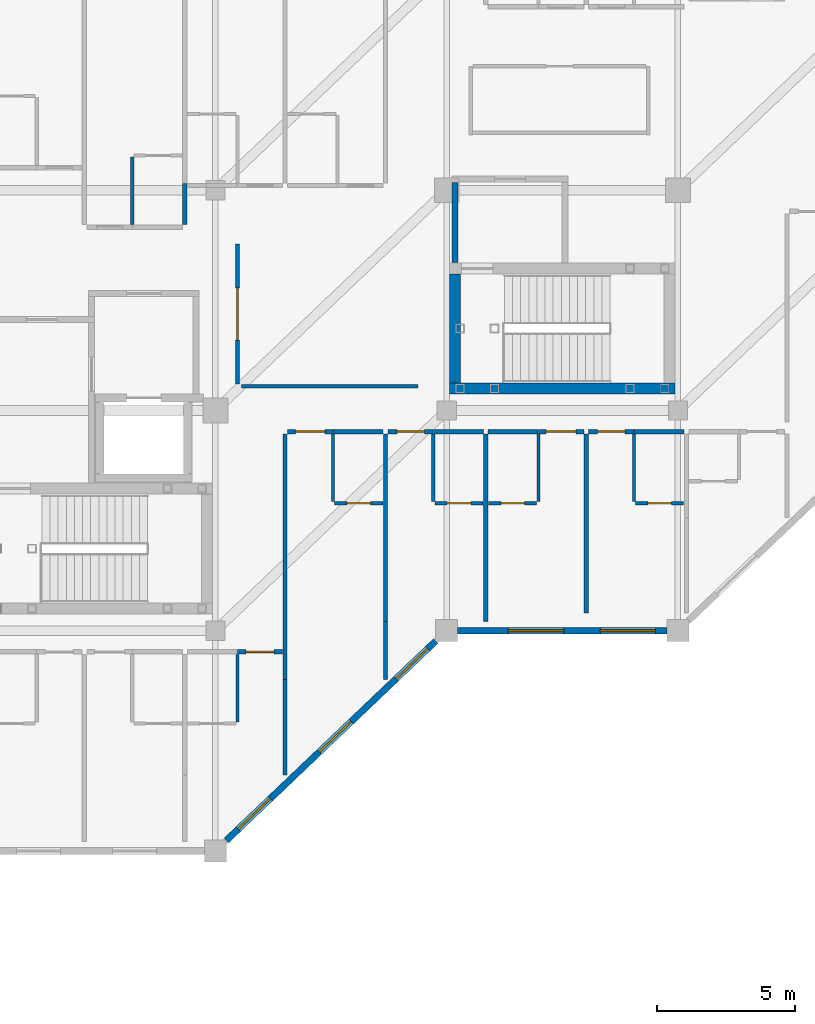
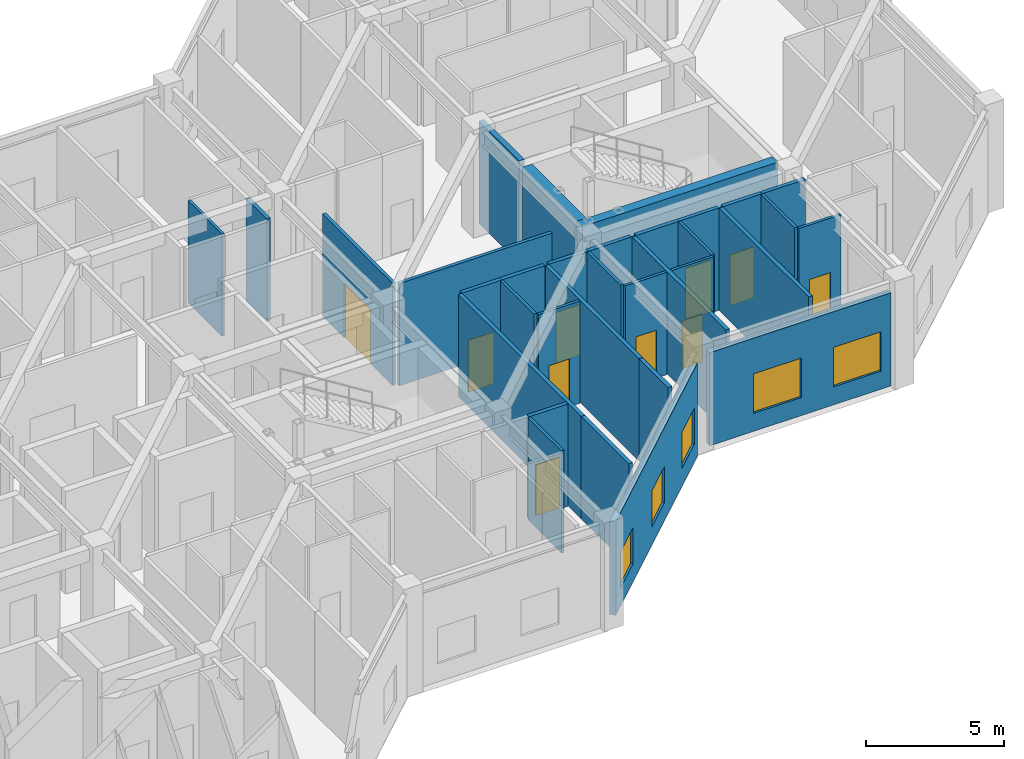
# One storey, part 62 of 76: 33 walls, 10 doors, 5 windows, 15 openings.
"""IFC4 building model written with IfcOpenShell, lengths in metres."""

from ifc_helpers import new_model, si_unit, direction, frame, frame_2d, origin, place, context, subcontext, project, spatial, rectangle, extrude, material, layer, layer_set, type_object, element, fill, save


model = new_model("IFC4")

# Units and contexts
model_context = context("Model", 3, precision=1e-05, world=origin(), true_north=direction((0.0, 1.0)))
body_context = subcontext(model_context, "Body", "Model", "MODEL_VIEW")
ifc_project = project(units=[si_unit("LENGTHUNIT", "METRE"), si_unit("AREAUNIT", "SQUARE_METRE"), si_unit("VOLUMEUNIT", "CUBIC_METRE"), si_unit("PLANEANGLEUNIT", "RADIAN"), si_unit("MASSUNIT", "GRAM", prefix="KILO")], contexts=[model_context])

# Site, building, storey
site_placement = place(None, origin())
site = spatial("IfcSite", under=ifc_project, at=site_placement, CompositionType="ELEMENT")
building_placement = place(site_placement, origin())
building = spatial("IfcBuilding", under=site, at=building_placement, Name="Naruveol Harbour Congress Hotel", CompositionType="ELEMENT")
storey_placement = place(building_placement, frame((0.0, 0.0, 11.39990234375)))
storey = spatial("IfcBuildingStorey", under=building, at=storey_placement, Name="L02", CompositionType="ELEMENT", Elevation=11.39990234375)

# Wall, opening, door
ifc_material_1 = material(Name="Acoustic Double Stud Gypsum", Category="gypsum")
ifc_layer_1 = layer(ifc_material_1, 0.139892578125)
ifc_layer_set_1 = layer_set([ifc_layer_1], Name="Acoustic Double Stud Gypsum")
wall_type_1 = type_object("IfcWallType", Name="ACOUSTIC MEETING PARTITION WALL 140", PredefinedType="PARTITIONING", material=ifc_layer_set_1)
wall_1_placement = place(storey_placement, frame((160.39990234375, 24.9599609375, 0.0), z_axis=(0.0, 0.0, 1.0), x_axis=(0.0, 1.0, 0.0)))
wall_1 = element("IfcWall", 1, at=wall_1_placement, inside=storey, type_object=wall_type_1, Name="Club Dining Salon west entry wall PW-140", PredefinedType="PARTITIONING", context=body_context, shape_type="SweptSolid", body=[
    extrude(rectangle(XDim=5.080078125, YDim=0.139892578125, at=frame_2d((2.5400390625, 0.0))), origin(), (0.0, 0.0, 1.0), 4.53515625),
])
opening_1_placement = place(wall_1_placement, frame((1.590087890625, 0.0, 0.0)))
opening_1 = element("IfcOpeningElement", 2, at=opening_1_placement, cuts=wall_1, Name="Opening ID-LG-78", PredefinedType="OPENING", context=body_context, shape_type="SweptSolid", body=[
    extrude(rectangle(XDim=1.89990234375, YDim=2.39990234375, at=frame_2d((0.949951171875, 1.199951171875))), frame((0.0, 0.079833984375, 0.0), z_axis=(0.0, -1.0, 0.0), x_axis=(1.0, 0.0, 0.0)), (0.0, 0.0, 1.0), 0.159912109375),
])
ifc_material_2 = material(Name="Timber & Steel Acoustic Leaf", Category="steel")
door_type_1 = type_object("IfcDoorType", Name="RESTAURANT AND LOUNGE GLAZED DOOR 1900X2400", OperationType="DOUBLE_DOOR_SINGLE_SWING", PredefinedType="DOOR", material=ifc_material_2)
door_1_placement = place(opening_1_placement, origin())
door_1 = element("IfcDoor", 3, at=door_1_placement, inside=storey, type_object=door_type_1, Name="Club Dining Salon Entrance Door", OperationType="DOUBLE_DOOR_SINGLE_SWING", OverallHeight=2.39990234375, OverallWidth=1.89990234375, PredefinedType="DOOR", context=body_context, shape_type="SweptSolid", body=[
    extrude(rectangle(XDim=1.89990234375, YDim=2.39990234375, at=frame_2d((0.949951171875, 1.199951171875))), frame((0.0, 0.02490234375, 0.0), z_axis=(0.0, -1.0, 0.0), x_axis=(1.0, 0.0, 0.0)), (0.0, 0.0, 1.0), 0.050048828125),
])
fill(opening_1, door_1)

# Walls
wall_2_placement = place(storey_placement, frame((160.5400390625, 24.8798828125, 0.0), z_axis=(0.0, 0.0, 1.0), x_axis=(1.0, 0.0, 0.0)))
element("IfcWall", 4, at=wall_2_placement, inside=storey, type_object=wall_type_1, Name="Club Dining Salon south partition PW-140", PredefinedType="PARTITIONING", context=body_context, shape_type="SweptSolid", body=[
    extrude(rectangle(XDim=6.409912109375, YDim=0.139892578125, at=frame_2d((3.205078125, 0.0))), origin(), (0.0, 0.0, 1.0), 4.53515625),
])
ifc_material_3 = material(Name="Moisture-Resistant Gypsum Partition", Category="gypsum")
ifc_layer_2 = layer(ifc_material_3, 0.114990234375)
ifc_layer_set_2 = layer_set([ifc_layer_2], Name="Moisture-Resistant Gypsum Partition")
wall_type_2 = type_object("IfcWallType", Name="BATHROOM MOISTURE PARTITION WALL 115", PredefinedType="PARTITIONING", material=ifc_layer_set_2)
for number, where, z_axis, x_axis, name in (
    (5, (156.580078125, 30.75, 0.0), (0.0, 0.0, 1.0), (0.0, 1.0, 0.0), "Bathroom west wall 0329 PW-115"),
    (6, (160.39990234375, 12.68994140625, 0.0), (0.0, 0.0, 1.0), (0.0, 1.0, 0.0), "Bathroom east wall 0312 PW-115"),
    (7, (163.8701171875, 20.68994140625, 0.0), (0.0, 0.0, 1.0), (0.0, 1.0, 0.0), "Bathroom west wall 0313 PW-115"),
):
    element("IfcWall", number, at=place(storey_placement, frame(where, z_axis=z_axis, x_axis=x_axis)), inside=storey, type_object=wall_type_2, Name=name, PredefinedType="PARTITIONING", context=body_context, shape_type="SweptSolid", body=[
        extrude(rectangle(XDim=2.449951171875, YDim=0.114990234375, at=frame_2d((1.22509765625, 0.0))), origin(), (0.0, 0.0, 1.0), 4.53515625),
    ])

# Wall, opening, door
wall_3_placement = place(storey_placement, frame((163.929931640625, 20.6298828125, 0.0), z_axis=(0.0, 0.0, 1.0), x_axis=(1.0, 0.0, 0.0)))
wall_3 = element("IfcWall", 8, at=wall_3_placement, inside=storey, type_object=wall_type_2, Name="Bathroom south wall 0313 PW-115", PredefinedType="PARTITIONING", context=body_context, shape_type="SweptSolid", body=[
    extrude(rectangle(XDim=1.75, YDim=0.114990234375, at=frame_2d((0.875, 0.0))), origin(), (0.0, 0.0, 1.0), 4.53515625),
])
opening_2_placement = place(wall_3_placement, frame((0.445068359375, 0.0, 0.0)))
opening_2 = element("IfcOpeningElement", 9, at=opening_2_placement, cuts=wall_3, Name="Opening BD-RM0313", PredefinedType="OPENING", context=body_context, shape_type="SweptSolid", body=[
    extrude(rectangle(XDim=0.860107421875, YDim=2.1201171875, at=frame_2d((0.43017578125, 1.06005859375))), frame((0.0, 0.0673828125, 0.0), z_axis=(0.0, -1.0, 0.0), x_axis=(1.0, 0.0, 0.0)), (0.0, 0.0, 1.0), 0.135009765625),
])
ifc_material_4 = material(Name="Timber & Steel Acoustic Leaf", Category="steel")
door_type_2 = type_object("IfcDoorType", Name="GUEST BATHROOM DOOR 860X2120", OperationType="NOTDEFINED", PredefinedType="DOOR", material=ifc_material_4)
door_2_placement = place(opening_2_placement, origin())
door_2 = element("IfcDoor", 10, at=door_2_placement, inside=storey, type_object=door_type_2, Name="Bathroom Door 0313", OperationType="SINGLE_SWING_RIGHT", OverallHeight=2.1201171875, OverallWidth=0.860107421875, PredefinedType="DOOR", context=body_context, shape_type="SweptSolid", body=[
    extrude(rectangle(XDim=0.860107421875, YDim=2.1201171875, at=frame_2d((0.43017578125, 1.06005859375))), frame((0.0, 0.02490234375, 0.0), z_axis=(0.0, -1.0, 0.0), x_axis=(1.0, 0.0, 0.0)), (0.0, 0.0, 1.0), 0.050048828125),
])
fill(opening_2, door_2)

# Wall
wall_4_placement = place(storey_placement, frame((167.510009765625, 20.68994140625, 0.0), z_axis=(0.0, 0.0, 1.0), x_axis=(0.0, 1.0, 0.0)))
element("IfcWall", 11, at=wall_4_placement, inside=storey, type_object=wall_type_2, Name="Bathroom west wall 0314 PW-115", PredefinedType="PARTITIONING", context=body_context, shape_type="SweptSolid", body=[
    extrude(rectangle(XDim=2.449951171875, YDim=0.114990234375, at=frame_2d((1.22509765625, 0.0))), origin(), (0.0, 0.0, 1.0), 4.53515625),
])

# Wall, opening, door
wall_5_placement = place(storey_placement, frame((167.570068359375, 20.6298828125, 0.0), z_axis=(0.0, 0.0, 1.0), x_axis=(1.0, 0.0, 0.0)))
wall_5 = element("IfcWall", 12, at=wall_5_placement, inside=storey, type_object=wall_type_2, Name="Bathroom south wall 0314 PW-115", PredefinedType="PARTITIONING", context=body_context, shape_type="SweptSolid", body=[
    extrude(rectangle(XDim=1.75, YDim=0.114990234375, at=frame_2d((0.875, 0.0))), origin(), (0.0, 0.0, 1.0), 4.53515625),
])
opening_3_placement = place(wall_5_placement, frame((0.445068359375, 0.0, 0.0)))
opening_3 = element("IfcOpeningElement", 13, at=opening_3_placement, cuts=wall_5, Name="Opening BD-RM0314", PredefinedType="OPENING", context=body_context, shape_type="SweptSolid", body=[
    extrude(rectangle(XDim=0.860107421875, YDim=2.1201171875, at=frame_2d((0.43017578125, 1.06005859375))), frame((0.0, 0.0673828125, 0.0), z_axis=(0.0, -1.0, 0.0), x_axis=(1.0, 0.0, 0.0)), (0.0, 0.0, 1.0), 0.135009765625),
])
door_3_placement = place(opening_3_placement, origin())
door_3 = element("IfcDoor", 14, at=door_3_placement, inside=storey, type_object=door_type_2, Name="Bathroom Door 0314", OperationType="SINGLE_SWING_RIGHT", OverallHeight=2.1201171875, OverallWidth=0.860107421875, PredefinedType="DOOR", context=body_context, shape_type="SweptSolid", body=[
    extrude(rectangle(XDim=0.860107421875, YDim=2.1201171875, at=frame_2d((0.43017578125, 1.06005859375))), frame((0.0, 0.02490234375, 0.0), z_axis=(0.0, -1.0, 0.0), x_axis=(1.0, 0.0, 0.0)), (0.0, 0.0, 1.0), 0.050048828125),
])
fill(opening_3, door_3)

# Wall
wall_6_placement = place(storey_placement, frame((171.330078125, 20.68994140625, 0.0), z_axis=(0.0, 0.0, 1.0), x_axis=(0.0, 1.0, 0.0)))
element("IfcWall", 15, at=wall_6_placement, inside=storey, type_object=wall_type_2, Name="Bathroom east wall 0315 PW-115", PredefinedType="PARTITIONING", context=body_context, shape_type="SweptSolid", body=[
    extrude(rectangle(XDim=2.449951171875, YDim=0.114990234375, at=frame_2d((1.22509765625, 0.0))), origin(), (0.0, 0.0, 1.0), 4.53515625),
])

# Wall, opening, door
wall_7_placement = place(storey_placement, frame((169.52001953125, 20.6298828125, 0.0), z_axis=(0.0, 0.0, 1.0), x_axis=(1.0, 0.0, 0.0)))
wall_7 = element("IfcWall", 16, at=wall_7_placement, inside=storey, type_object=wall_type_2, Name="Bathroom south wall 0315 PW-115", PredefinedType="PARTITIONING", context=body_context, shape_type="SweptSolid", body=[
    extrude(rectangle(XDim=1.75, YDim=0.114990234375, at=frame_2d((0.875, 0.0))), origin(), (0.0, 0.0, 1.0), 4.53515625),
])
opening_4_placement = place(wall_7_placement, frame((0.445068359375, 0.0, 0.0)))
opening_4 = element("IfcOpeningElement", 17, at=opening_4_placement, cuts=wall_7, Name="Opening BD-RM0315", PredefinedType="OPENING", context=body_context, shape_type="SweptSolid", body=[
    extrude(rectangle(XDim=0.860107421875, YDim=2.1201171875, at=frame_2d((0.43017578125, 1.06005859375))), frame((0.0, 0.0673828125, 0.0), z_axis=(0.0, -1.0, 0.0), x_axis=(1.0, 0.0, 0.0)), (0.0, 0.0, 1.0), 0.135009765625),
])
door_4_placement = place(opening_4_placement, origin())
door_4 = element("IfcDoor", 18, at=door_4_placement, inside=storey, type_object=door_type_2, Name="Bathroom Door 0315", OperationType="SINGLE_SWING_RIGHT", OverallHeight=2.1201171875, OverallWidth=0.860107421875, PredefinedType="DOOR", context=body_context, shape_type="SweptSolid", body=[
    extrude(rectangle(XDim=0.860107421875, YDim=2.1201171875, at=frame_2d((0.43017578125, 1.06005859375))), frame((0.0, 0.02490234375, 0.0), z_axis=(0.0, -1.0, 0.0), x_axis=(1.0, 0.0, 0.0)), (0.0, 0.0, 1.0), 0.050048828125),
])
fill(opening_4, door_4)

# Wall
wall_8_placement = place(storey_placement, frame((174.800048828125, 20.68994140625, 0.0), z_axis=(0.0, 0.0, 1.0), x_axis=(0.0, 1.0, 0.0)))
element("IfcWall", 19, at=wall_8_placement, inside=storey, type_object=wall_type_2, Name="Bathroom west wall 0316 PW-115", PredefinedType="PARTITIONING", context=body_context, shape_type="SweptSolid", body=[
    extrude(rectangle(XDim=2.449951171875, YDim=0.114990234375, at=frame_2d((1.22509765625, 0.0))), origin(), (0.0, 0.0, 1.0), 4.53515625),
])

# Wall, opening, door
wall_9_placement = place(storey_placement, frame((174.860107421875, 20.6298828125, 0.0), z_axis=(0.0, 0.0, 1.0), x_axis=(1.0, 0.0, 0.0)))
wall_9 = element("IfcWall", 20, at=wall_9_placement, inside=storey, type_object=wall_type_2, Name="Bathroom south wall 0316 PW-115", PredefinedType="PARTITIONING", context=body_context, shape_type="SweptSolid", body=[
    extrude(rectangle(XDim=1.75, YDim=0.114990234375, at=frame_2d((0.875, 0.0))), origin(), (0.0, 0.0, 1.0), 4.53515625),
])
opening_5_placement = place(wall_9_placement, frame((0.445068359375, 0.0, 0.0)))
opening_5 = element("IfcOpeningElement", 21, at=opening_5_placement, cuts=wall_9, Name="Opening BD-RM0316", PredefinedType="OPENING", context=body_context, shape_type="SweptSolid", body=[
    extrude(rectangle(XDim=0.860107421875, YDim=2.1201171875, at=frame_2d((0.43017578125, 1.06005859375))), frame((0.0, 0.0673828125, 0.0), z_axis=(0.0, -1.0, 0.0), x_axis=(1.0, 0.0, 0.0)), (0.0, 0.0, 1.0), 0.135009765625),
])
door_5_placement = place(opening_5_placement, origin())
door_5 = element("IfcDoor", 22, at=door_5_placement, inside=storey, type_object=door_type_2, Name="Bathroom Door 0316", OperationType="SINGLE_SWING_RIGHT", OverallHeight=2.1201171875, OverallWidth=0.860107421875, PredefinedType="DOOR", context=body_context, shape_type="SweptSolid", body=[
    extrude(rectangle(XDim=0.860107421875, YDim=2.1201171875, at=frame_2d((0.43017578125, 1.06005859375))), frame((0.0, 0.02490234375, 0.0), z_axis=(0.0, -1.0, 0.0), x_axis=(1.0, 0.0, 0.0)), (0.0, 0.0, 1.0), 0.050048828125),
])
fill(opening_5, door_5)

# Walls
ifc_material_5 = material(Name="Concrete C40/50", Category="concrete")
ifc_layer_3 = layer(ifc_material_5, 0.219970703125)
ifc_layer_set_3 = layer_set([ifc_layer_3], Name="Concrete C40/50")
wall_type_3 = type_object("IfcWallType", Name="FIRE COMPARTMENT AND LOBBY WALL 220 EI120", PredefinedType="PARTITIONING", material=ifc_layer_set_3)
wall_10_placement = place(storey_placement, frame((168.300048828125, 29.364990234375, 0.0), z_axis=(0.0, 0.0, 1.0), x_axis=(0.0, 1.0, 0.0)))
element("IfcWall", 23, at=wall_10_placement, inside=storey, type_object=wall_type_3, Name="Smoke vestibule ST4 west wall FW-220", PredefinedType="PARTITIONING", context=body_context, shape_type="SweptSolid", body=[
    extrude(rectangle(XDim=2.919921875, YDim=0.219970703125, at=frame_2d((1.4599609375, 0.0))), origin(), (0.0, 0.0, 1.0), 4.53515625),
])
ifc_material_6 = material(Name="Autoclaved Aerated Concrete Block", Category="concrete")
ifc_layer_4 = layer(ifc_material_6, 0.159912109375)
ifc_layer_set_4 = layer_set([ifc_layer_4], Name="Autoclaved Aerated Concrete Block")
wall_type_4 = type_object("IfcWallType", Name="HOTEL PARTY AND CORRIDOR WALL 160 EI60", PredefinedType="PARTITIONING", material=ifc_layer_set_4)
wall_11_placement = place(storey_placement, frame((158.489990234375, 30.75, 0.0), z_axis=(0.0, 0.0, 1.0), x_axis=(0.0, 1.0, 0.0)))
element("IfcWall", 24, at=wall_11_placement, inside=storey, type_object=wall_type_4, Name="Hotel end party wall 0329 PW-160", PredefinedType="PARTITIONING", context=body_context, shape_type="SweptSolid", body=[
    extrude(rectangle(XDim=1.5, YDim=0.159912109375, at=frame_2d((0.75, 0.0))), origin(), (0.0, 0.0, 1.0), 4.53515625),
])

# Wall, opening, door
wall_12_placement = place(storey_placement, frame((160.39990234375, 15.22998046875, 0.0), z_axis=(0.0, 0.0, 1.0), x_axis=(1.0, 0.0, 0.0)))
wall_12 = element("IfcWall", 25, at=wall_12_placement, inside=storey, type_object=wall_type_4, Name="Corridor entry wall 0312 PW-160", PredefinedType="PARTITIONING", context=body_context, shape_type="SweptSolid", body=[
    extrude(rectangle(XDim=1.64013671875, YDim=0.159912109375, at=frame_2d((0.820068359375, 0.0))), origin(), (0.0, 0.0, 1.0), 4.53515625),
])
opening_6_placement = place(wall_12_placement, frame((0.320068359375, 0.0, 0.0)))
opening_6 = element("IfcOpeningElement", 26, at=opening_6_placement, cuts=wall_12, Name="Opening FD-RM0312", PredefinedType="OPENING", context=body_context, shape_type="SweptSolid", body=[
    extrude(rectangle(XDim=1.0, YDim=2.25, at=frame_2d((0.5, 1.125))), frame((0.0, 0.08984375, 0.0), z_axis=(0.0, -1.0, 0.0), x_axis=(1.0, 0.0, 0.0)), (0.0, 0.0, 1.0), 0.179931640625),
])
ifc_material_7 = material(Name="Timber & Steel Acoustic Leaf", Category="steel")
door_type_3 = type_object("IfcDoorType", Name="DELUXE GUEST ENTRANCE FIRE DOOR 1000X2250", OperationType="NOTDEFINED", PredefinedType="DOOR", material=ifc_material_7)
door_6_placement = place(opening_6_placement, origin())
door_6 = element("IfcDoor", 27, at=door_6_placement, inside=storey, type_object=door_type_3, Name="Hotel Room Door 0312", OperationType="SINGLE_SWING_LEFT", OverallHeight=2.25, OverallWidth=1.0, PredefinedType="DOOR", context=body_context, shape_type="SweptSolid", body=[
    extrude(rectangle(XDim=1.0, YDim=2.25, at=frame_2d((0.5, 1.125))), frame((0.0, 0.02490234375, 0.0), z_axis=(0.0, -1.0, 0.0), x_axis=(1.0, 0.0, 0.0)), (0.0, 0.0, 1.0), 0.050048828125),
])
fill(opening_6, door_6)

# Wall
wall_13_placement = place(storey_placement, frame((162.1298828125, 10.75, 0.0), z_axis=(0.0, 0.0, 1.0), x_axis=(0.0, 1.0, 0.0)))
element("IfcWall", 28, at=wall_13_placement, inside=storey, type_object=wall_type_4, Name="Hotel end party wall 0312 PW-160", PredefinedType="PARTITIONING", context=body_context, shape_type="SweptSolid", body=[
    extrude(rectangle(XDim=3.469970703125, YDim=0.159912109375, at=frame_2d((1.73486328125, 0.0))), origin(), (0.0, 0.0, 1.0), 4.53515625),
])

# Wall, opening, door
wall_14_placement = place(storey_placement, frame((162.219970703125, 23.22998046875, 0.0), z_axis=(0.0, 0.0, 1.0), x_axis=(1.0, 0.0, 0.0)))
wall_14 = element("IfcWall", 29, at=wall_14_placement, inside=storey, type_object=wall_type_4, Name="Corridor entry wall 0313 PW-160", PredefinedType="PARTITIONING", context=body_context, shape_type="SweptSolid", body=[
    extrude(rectangle(XDim=1.650146484375, YDim=0.159912109375, at=frame_2d((0.8251953125, 0.0))), origin(), (0.0, 0.0, 1.0), 4.53515625),
])
opening_7_placement = place(wall_14_placement, frame((0.284912109375, 0.0, 0.0)))
opening_7 = element("IfcOpeningElement", 30, at=opening_7_placement, cuts=wall_14, Name="Opening FD-RM0313", PredefinedType="OPENING", context=body_context, shape_type="SweptSolid", body=[
    extrude(rectangle(XDim=1.080078125, YDim=2.300048828125, at=frame_2d((0.5400390625, 1.14990234375))), frame((0.0, 0.08984375, 0.0), z_axis=(0.0, -1.0, 0.0), x_axis=(1.0, 0.0, 0.0)), (0.0, 0.0, 1.0), 0.179931640625),
])
ifc_material_8 = material(Name="Timber & Steel Acoustic Leaf", Category="steel")
door_type_4 = type_object("IfcDoorType", Name="SUITE ENTRANCE FIRE DOOR 1080X2300", OperationType="NOTDEFINED", PredefinedType="DOOR", material=ifc_material_8)
door_7_placement = place(opening_7_placement, origin())
door_7 = element("IfcDoor", 31, at=door_7_placement, inside=storey, type_object=door_type_4, Name="Hotel Room Door 0313", OperationType="SINGLE_SWING_LEFT", OverallHeight=2.300048828125, OverallWidth=1.080078125, PredefinedType="DOOR", context=body_context, shape_type="SweptSolid", body=[
    extrude(rectangle(XDim=1.080078125, YDim=2.300048828125, at=frame_2d((0.5400390625, 1.14990234375))), frame((0.0, 0.02490234375, 0.0), z_axis=(0.0, -1.0, 0.0), x_axis=(1.0, 0.0, 0.0)), (0.0, 0.0, 1.0), 0.050048828125),
])
fill(opening_7, door_7)

# Walls
wall_15_placement = place(storey_placement, frame((163.8798828125, 23.22998046875, 0.0), z_axis=(0.0, 0.0, 1.0), x_axis=(1.0, 0.0, 0.0)))
element("IfcWall", 32, at=wall_15_placement, inside=storey, type_object=wall_type_4, Name="Corridor wall 0313B PW-160", PredefinedType="PARTITIONING", context=body_context, shape_type="SweptSolid", body=[
    extrude(rectangle(XDim=1.81005859375, YDim=0.159912109375, at=frame_2d((0.905029296875, 0.0))), origin(), (0.0, 0.0, 1.0), 4.53515625),
])
wall_16_placement = place(storey_placement, frame((162.1298828125, 14.22998046875, 0.0), z_axis=(0.0, 0.0, 1.0), x_axis=(0.0, 1.0, 0.0)))
element("IfcWall", 33, at=wall_16_placement, inside=storey, type_object=wall_type_4, Name="Hotel party wall 0313 PW-160", PredefinedType="PARTITIONING", context=body_context, shape_type="SweptSolid", body=[
    extrude(rectangle(XDim=8.909912109375, YDim=0.159912109375, at=frame_2d((4.455078125, 0.0))), origin(), (0.0, 0.0, 1.0), 4.53515625),
])
wall_17_placement = place(storey_placement, frame((165.780029296875, 14.22998046875, 0.0), z_axis=(0.0, 0.0, 1.0), x_axis=(0.0, 1.0, 0.0)))
element("IfcWall", 34, at=wall_17_placement, inside=storey, type_object=wall_type_4, Name="Hotel end party wall 0313 PW-160", PredefinedType="PARTITIONING", context=body_context, shape_type="SweptSolid", body=[
    extrude(rectangle(XDim=2.10009765625, YDim=0.159912109375, at=frame_2d((1.050048828125, 0.0))), origin(), (0.0, 0.0, 1.0), 4.53515625),
])

# Wall, opening, door
wall_18_placement = place(storey_placement, frame((165.8701171875, 23.22998046875, 0.0), z_axis=(0.0, 0.0, 1.0), x_axis=(1.0, 0.0, 0.0)))
wall_18 = element("IfcWall", 35, at=wall_18_placement, inside=storey, type_object=wall_type_4, Name="Corridor entry wall 0314 PW-160", PredefinedType="PARTITIONING", context=body_context, shape_type="SweptSolid", body=[
    extrude(rectangle(XDim=1.639892578125, YDim=0.159912109375, at=frame_2d((0.81982421875, 0.0))), origin(), (0.0, 0.0, 1.0), 4.53515625),
])
opening_8_placement = place(wall_18_placement, frame((0.320068359375, 0.0, 0.0)))
opening_8 = element("IfcOpeningElement", 36, at=opening_8_placement, cuts=wall_18, Name="Opening FD-RM0314", PredefinedType="OPENING", context=body_context, shape_type="SweptSolid", body=[
    extrude(rectangle(XDim=1.0, YDim=2.25, at=frame_2d((0.5, 1.125))), frame((0.0, 0.08984375, 0.0), z_axis=(0.0, -1.0, 0.0), x_axis=(1.0, 0.0, 0.0)), (0.0, 0.0, 1.0), 0.179931640625),
])
door_8_placement = place(opening_8_placement, origin())
door_8 = element("IfcDoor", 37, at=door_8_placement, inside=storey, type_object=door_type_3, Name="Hotel Room Door 0314", OperationType="SINGLE_SWING_LEFT", OverallHeight=2.25, OverallWidth=1.0, PredefinedType="DOOR", context=body_context, shape_type="SweptSolid", body=[
    extrude(rectangle(XDim=1.0, YDim=2.25, at=frame_2d((0.5, 1.125))), frame((0.0, 0.02490234375, 0.0), z_axis=(0.0, -1.0, 0.0), x_axis=(1.0, 0.0, 0.0)), (0.0, 0.0, 1.0), 0.050048828125),
])
fill(opening_8, door_8)

# Walls
wall_19_placement = place(storey_placement, frame((167.52001953125, 23.22998046875, 0.0), z_axis=(0.0, 0.0, 1.0), x_axis=(1.0, 0.0, 0.0)))
element("IfcWall", 38, at=wall_19_placement, inside=storey, type_object=wall_type_4, Name="Corridor wall 0314B PW-160", PredefinedType="PARTITIONING", context=body_context, shape_type="SweptSolid", body=[
    extrude(rectangle(XDim=1.81005859375, YDim=0.159912109375, at=frame_2d((0.905029296875, 0.0))), origin(), (0.0, 0.0, 1.0), 4.53515625),
])
wall_20_placement = place(storey_placement, frame((165.780029296875, 16.340087890625, 0.0), z_axis=(0.0, 0.0, 1.0), x_axis=(0.0, 1.0, 0.0)))
element("IfcWall", 39, at=wall_20_placement, inside=storey, type_object=wall_type_4, Name="Hotel party wall 0314 PW-160", PredefinedType="PARTITIONING", context=body_context, shape_type="SweptSolid", body=[
    extrude(rectangle(XDim=6.7998046875, YDim=0.159912109375, at=frame_2d((3.39990234375, 0.0))), origin(), (0.0, 0.0, 1.0), 4.53515625),
])
wall_21_placement = place(storey_placement, frame((169.510009765625, 23.22998046875, 0.0), z_axis=(0.0, 0.0, 1.0), x_axis=(1.0, 0.0, 0.0)))
element("IfcWall", 40, at=wall_21_placement, inside=storey, type_object=wall_type_4, Name="Corridor wall 0315B PW-160", PredefinedType="PARTITIONING", context=body_context, shape_type="SweptSolid", body=[
    extrude(rectangle(XDim=1.81005859375, YDim=0.159912109375, at=frame_2d((0.905029296875, 0.0))), origin(), (0.0, 0.0, 1.0), 4.53515625),
])

# Wall, opening, door
wall_22_placement = place(storey_placement, frame((171.330078125, 23.22998046875, 0.0), z_axis=(0.0, 0.0, 1.0), x_axis=(1.0, 0.0, 0.0)))
wall_22 = element("IfcWall", 41, at=wall_22_placement, inside=storey, type_object=wall_type_4, Name="Corridor entry wall 0315 PW-160", PredefinedType="PARTITIONING", context=body_context, shape_type="SweptSolid", body=[
    extrude(rectangle(XDim=1.64990234375, YDim=0.159912109375, at=frame_2d((0.824951171875, 0.0))), origin(), (0.0, 0.0, 1.0), 4.53515625),
])
opening_9_placement = place(wall_22_placement, frame((0.284912109375, 0.0, 0.0)))
opening_9 = element("IfcOpeningElement", 42, at=opening_9_placement, cuts=wall_22, Name="Opening FD-RM0315", PredefinedType="OPENING", context=body_context, shape_type="SweptSolid", body=[
    extrude(rectangle(XDim=1.080078125, YDim=2.300048828125, at=frame_2d((0.5400390625, 1.14990234375))), frame((0.0, 0.08984375, 0.0), z_axis=(0.0, -1.0, 0.0), x_axis=(1.0, 0.0, 0.0)), (0.0, 0.0, 1.0), 0.179931640625),
])
door_9_placement = place(opening_9_placement, origin())
door_9 = element("IfcDoor", 43, at=door_9_placement, inside=storey, type_object=door_type_4, Name="Hotel Room Door 0315", OperationType="SINGLE_SWING_LEFT", OverallHeight=2.300048828125, OverallWidth=1.080078125, PredefinedType="DOOR", context=body_context, shape_type="SweptSolid", body=[
    extrude(rectangle(XDim=1.080078125, YDim=2.300048828125, at=frame_2d((0.5400390625, 1.14990234375))), frame((0.0, 0.02490234375, 0.0), z_axis=(0.0, -1.0, 0.0), x_axis=(1.0, 0.0, 0.0)), (0.0, 0.0, 1.0), 0.050048828125),
])
fill(opening_9, door_9)

# Wall
wall_23_placement = place(storey_placement, frame((169.419921875, 16.340087890625, 0.0), z_axis=(0.0, 0.0, 1.0), x_axis=(0.0, 1.0, 0.0)))
element("IfcWall", 44, at=wall_23_placement, inside=storey, type_object=wall_type_4, Name="Hotel party wall 0315 PW-160", PredefinedType="PARTITIONING", context=body_context, shape_type="SweptSolid", body=[
    extrude(rectangle(XDim=6.7998046875, YDim=0.159912109375, at=frame_2d((3.39990234375, 0.0))), origin(), (0.0, 0.0, 1.0), 4.53515625),
])

# Wall, opening, door
wall_24_placement = place(storey_placement, frame((173.159912109375, 23.22998046875, 0.0), z_axis=(0.0, 0.0, 1.0), x_axis=(1.0, 0.0, 0.0)))
wall_24 = element("IfcWall", 45, at=wall_24_placement, inside=storey, type_object=wall_type_4, Name="Corridor entry wall 0316 PW-160", PredefinedType="PARTITIONING", context=body_context, shape_type="SweptSolid", body=[
    extrude(rectangle(XDim=1.64013671875, YDim=0.159912109375, at=frame_2d((0.820068359375, 0.0))), origin(), (0.0, 0.0, 1.0), 4.53515625),
])
opening_10_placement = place(wall_24_placement, frame((0.320068359375, 0.0, 0.0)))
opening_10 = element("IfcOpeningElement", 46, at=opening_10_placement, cuts=wall_24, Name="Opening FD-RM0316", PredefinedType="OPENING", context=body_context, shape_type="SweptSolid", body=[
    extrude(rectangle(XDim=1.0, YDim=2.25, at=frame_2d((0.5, 1.125))), frame((0.0, 0.08984375, 0.0), z_axis=(0.0, -1.0, 0.0), x_axis=(1.0, 0.0, 0.0)), (0.0, 0.0, 1.0), 0.179931640625),
])
door_10_placement = place(opening_10_placement, origin())
door_10 = element("IfcDoor", 47, at=door_10_placement, inside=storey, type_object=door_type_3, Name="Hotel Room Door 0316", OperationType="SINGLE_SWING_LEFT", OverallHeight=2.25, OverallWidth=1.0, PredefinedType="DOOR", context=body_context, shape_type="SweptSolid", body=[
    extrude(rectangle(XDim=1.0, YDim=2.25, at=frame_2d((0.5, 1.125))), frame((0.0, 0.02490234375, 0.0), z_axis=(0.0, -1.0, 0.0), x_axis=(1.0, 0.0, 0.0)), (0.0, 0.0, 1.0), 0.050048828125),
])
fill(opening_10, door_10)

# Walls
wall_25_placement = place(storey_placement, frame((174.81005859375, 23.22998046875, 0.0), z_axis=(0.0, 0.0, 1.0), x_axis=(1.0, 0.0, 0.0)))
element("IfcWall", 48, at=wall_25_placement, inside=storey, type_object=wall_type_4, Name="Corridor wall 0316B PW-160", PredefinedType="PARTITIONING", context=body_context, shape_type="SweptSolid", body=[
    extrude(rectangle(XDim=1.81005859375, YDim=0.159912109375, at=frame_2d((0.905029296875, 0.0))), origin(), (0.0, 0.0, 1.0), 4.53515625),
])
wall_26_placement = place(storey_placement, frame((173.070068359375, 16.639892578125, 0.0), z_axis=(0.0, 0.0, 1.0), x_axis=(0.0, 1.0, 0.0)))
element("IfcWall", 49, at=wall_26_placement, inside=storey, type_object=wall_type_4, Name="Hotel party wall 0316 PW-160", PredefinedType="PARTITIONING", context=body_context, shape_type="SweptSolid", body=[
    extrude(rectangle(XDim=6.5, YDim=0.159912109375, at=frame_2d((3.25, 0.0))), origin(), (0.0, 0.0, 1.0), 4.53515625),
])

# Wall, openings, windows
ifc_material_9 = material(Name="Concrete C40/50", Category="concrete")
ifc_layer_5 = layer(ifc_material_9, 0.239990234375)
ifc_layer_set_5 = layer_set([ifc_layer_5], Name="Concrete C40/50")
wall_type_5 = type_object("IfcWallType", Name="INSULATED HOTEL SPANDREL WALL 240", PredefinedType="SOLIDWALL", material=ifc_layer_set_5)
wall_27_placement = place(storey_placement, frame((167.60009765625, 15.618896484375, 0.0), z_axis=(0.0, 0.0, 1.0), x_axis=(-0.724156739794, -0.689635422677, 0.0)))
wall_27 = element("IfcWall", 50, at=wall_27_placement, inside=storey, type_object=wall_type_5, Name="Hotel south waterfront wall L02 EW-240", PredefinedType="SOLIDWALL", context=body_context, shape_type="SweptSolid", body=[
    extrude(rectangle(XDim=10.4951171875, YDim=0.239990234375, at=frame_2d((5.24755859375, 0.0))), origin(), (0.0, 0.0, 1.0), 4.130126953125),
])
opening_11_placement = place(wall_27_placement, frame((0.387939453125, 0.0, 0.800048828125)))
opening_11 = element("IfcOpeningElement", 51, at=opening_11_placement, cuts=wall_27, Name="Opening W-03", PredefinedType="OPENING", context=body_context, shape_type="SweptSolid", body=[
    extrude(rectangle(XDim=1.60009765625, YDim=1.60009765625, at=frame_2d((0.800048828125, 0.800048828125))), frame((0.0, 0.1298828125, 0.0), z_axis=(0.0, -1.0, 0.0), x_axis=(1.0, 0.0, 0.0)), (0.0, 0.0, 1.0), 0.260009765625),
])
opening_12_placement = place(wall_27_placement, frame((4.23388671875, 0.0, 0.800048828125)))
opening_12 = element("IfcOpeningElement", 52, at=opening_12_placement, cuts=wall_27, Name="Opening W-03", PredefinedType="OPENING", context=body_context, shape_type="SweptSolid", body=[
    extrude(rectangle(XDim=1.60009765625, YDim=1.60009765625, at=frame_2d((0.800048828125, 0.800048828125))), frame((0.0, 0.1298828125, 0.0), z_axis=(0.0, -1.0, 0.0), x_axis=(1.0, 0.0, 0.0)), (0.0, 0.0, 1.0), 0.260009765625),
])
opening_13_placement = place(wall_27_placement, frame((8.2939453125, 0.0, 0.800048828125)))
opening_13 = element("IfcOpeningElement", 53, at=opening_13_placement, cuts=wall_27, Name="Opening W-03", PredefinedType="OPENING", context=body_context, shape_type="SweptSolid", body=[
    extrude(rectangle(XDim=1.60009765625, YDim=1.60009765625, at=frame_2d((0.800048828125, 0.800048828125))), frame((0.0, 0.1298828125, 0.0), z_axis=(0.0, -1.0, 0.0), x_axis=(1.0, 0.0, 0.0)), (0.0, 0.0, 1.0), 0.260009765625),
])
ifc_material_10 = material(Name="Low-E Triple Glazing in Thermal Aluminium", Category="aluminium")
window_type_1 = type_object("IfcWindowType", Name="DELUXE GUEST WINDOW 1600X1600", PartitioningType="SINGLE_PANEL", PredefinedType="WINDOW", material=ifc_material_10)
window_1_placement = place(opening_11_placement, origin())
window_1 = element("IfcWindow", 54, at=window_1_placement, inside=storey, type_object=window_type_1, Name="Window W-03 #206", OverallHeight=1.60009765625, OverallWidth=1.60009765625, PartitioningType="SINGLE_PANEL", PredefinedType="WINDOW", context=body_context, shape_type="SweptSolid", body=[
    extrude(rectangle(XDim=1.60009765625, YDim=1.60009765625, at=frame_2d((0.800048828125, 0.800048828125))), frame((0.0, 0.030029296875, 0.0), z_axis=(0.0, -1.0, 0.0), x_axis=(1.0, 0.0, 0.0)), (0.0, 0.0, 1.0), 0.06005859375),
])
fill(opening_11, window_1)
window_2_placement = place(opening_12_placement, origin())
window_2 = element("IfcWindow", 55, at=window_2_placement, inside=storey, type_object=window_type_1, Name="Window W-03 #207", OverallHeight=1.60009765625, OverallWidth=1.60009765625, PartitioningType="SINGLE_PANEL", PredefinedType="WINDOW", context=body_context, shape_type="SweptSolid", body=[
    extrude(rectangle(XDim=1.60009765625, YDim=1.60009765625, at=frame_2d((0.800048828125, 0.800048828125))), frame((0.0, 0.030029296875, 0.0), z_axis=(0.0, -1.0, 0.0), x_axis=(1.0, 0.0, 0.0)), (0.0, 0.0, 1.0), 0.06005859375),
])
fill(opening_12, window_2)
window_3_placement = place(opening_13_placement, origin())
window_3 = element("IfcWindow", 56, at=window_3_placement, inside=storey, type_object=window_type_1, Name="Window W-03 #208", OverallHeight=1.60009765625, OverallWidth=1.60009765625, PartitioningType="SINGLE_PANEL", PredefinedType="WINDOW", context=body_context, shape_type="SweptSolid", body=[
    extrude(rectangle(XDim=1.60009765625, YDim=1.60009765625, at=frame_2d((0.800048828125, 0.800048828125))), frame((0.0, 0.030029296875, 0.0), z_axis=(0.0, -1.0, 0.0), x_axis=(1.0, 0.0, 0.0)), (0.0, 0.0, 1.0), 0.06005859375),
])
fill(opening_13, window_3)

wall_28_placement = place(storey_placement, frame((176.0, 16.0, 0.0), z_axis=(0.0, 0.0, 1.0), x_axis=(-1.0, 0.0, 0.0)))
wall_28 = element("IfcWall", 57, at=wall_28_placement, inside=storey, type_object=wall_type_5, Name="Hotel south waterfront wall L02 EW-240", PredefinedType="SOLIDWALL", context=body_context, shape_type="SweptSolid", body=[
    extrude(rectangle(XDim=7.60009765625, YDim=0.239990234375, at=frame_2d((3.800048828125, 0.0))), origin(), (0.0, 0.0, 1.0), 4.130126953125),
])
opening_14_placement = place(wall_28_placement, frame((0.4150390625, 0.0, 0.800048828125)))
opening_14 = element("IfcOpeningElement", 58, at=opening_14_placement, cuts=wall_28, Name="Opening W-05", PredefinedType="OPENING", context=body_context, shape_type="SweptSolid", body=[
    extrude(rectangle(XDim=2.0, YDim=1.75, at=frame_2d((1.0, 0.875))), frame((0.0, 0.1298828125, 0.0), z_axis=(0.0, -1.0, 0.0), x_axis=(1.0, 0.0, 0.0)), (0.0, 0.0, 1.0), 0.260009765625),
])
opening_15_placement = place(wall_28_placement, frame((3.7548828125, 0.0, 0.800048828125)))
opening_15 = element("IfcOpeningElement", 59, at=opening_15_placement, cuts=wall_28, Name="Opening W-05", PredefinedType="OPENING", context=body_context, shape_type="SweptSolid", body=[
    extrude(rectangle(XDim=2.0, YDim=1.75, at=frame_2d((1.0, 0.875))), frame((0.0, 0.1298828125, 0.0), z_axis=(0.0, -1.0, 0.0), x_axis=(1.0, 0.0, 0.0)), (0.0, 0.0, 1.0), 0.260009765625),
])
ifc_material_11 = material(Name="Low-E Triple Glazing in Thermal Aluminium", Category="aluminium")
window_type_2 = type_object("IfcWindowType", Name="GARDEN SUITE WINDOW 2000X1750", PartitioningType="DOUBLE_PANEL_VERTICAL", PredefinedType="WINDOW", material=ifc_material_11)
window_4_placement = place(opening_14_placement, origin())
window_4 = element("IfcWindow", 60, at=window_4_placement, inside=storey, type_object=window_type_2, Name="Window W-05 #212", OverallHeight=1.75, OverallWidth=2.0, PartitioningType="DOUBLE_PANEL_VERTICAL", PredefinedType="WINDOW", context=body_context, shape_type="SweptSolid", body=[
    extrude(rectangle(XDim=2.0, YDim=1.75, at=frame_2d((1.0, 0.875))), frame((0.0, 0.030029296875, 0.0), z_axis=(0.0, -1.0, 0.0), x_axis=(1.0, 0.0, 0.0)), (0.0, 0.0, 1.0), 0.06005859375),
])
fill(opening_14, window_4)
window_5_placement = place(opening_15_placement, origin())
window_5 = element("IfcWindow", 61, at=window_5_placement, inside=storey, type_object=window_type_2, Name="Window W-05 #213", OverallHeight=1.75, OverallWidth=2.0, PartitioningType="DOUBLE_PANEL_VERTICAL", PredefinedType="WINDOW", context=body_context, shape_type="SweptSolid", body=[
    extrude(rectangle(XDim=2.0, YDim=1.75, at=frame_2d((1.0, 0.875))), frame((0.0, 0.030029296875, 0.0), z_axis=(0.0, -1.0, 0.0), x_axis=(1.0, 0.0, 0.0)), (0.0, 0.0, 1.0), 0.06005859375),
])
fill(opening_15, window_5)

# Walls
ifc_material_12 = material(Name="Concrete C50/60", Category="concrete")
ifc_layer_6 = layer(ifc_material_12, 0.39990234375)
ifc_layer_set_6 = layer_set([ifc_layer_6], Name="Concrete C50/60")
wall_type_6 = type_object("IfcWallType", Name="RC CORE SHEAR WALL 400 EI120", PredefinedType="SHEAR", material=ifc_layer_set_6)
wall_29_placement = place(storey_placement, frame((168.10009765625, 24.800048828125, 0.0), z_axis=(0.0, 0.0, 1.0), x_axis=(1.0, 0.0, 0.0)))
element("IfcWall", 62, at=wall_29_placement, inside=storey, type_object=wall_type_6, Name="Stair ST4 south core wall CW-400", PredefinedType="SHEAR", context=body_context, shape_type="SweptSolid", body=[
    extrude(rectangle(XDim=8.199951171875, YDim=0.39990234375, at=frame_2d((4.10009765625, 0.0))), origin(), (0.0, 0.0, 1.0), 4.53515625),
])
wall_30_placement = place(storey_placement, frame((168.300048828125, 25.0048828125, 0.0), z_axis=(0.0, 0.0, 1.0), x_axis=(0.0, 1.0, 0.0)))
element("IfcWall", 63, at=wall_30_placement, inside=storey, type_object=wall_type_6, Name="Stair ST4 west core wall CW-400", PredefinedType="SHEAR", context=body_context, shape_type="SweptSolid", body=[
    extrude(rectangle(XDim=3.9501953125, YDim=0.39990234375, at=frame_2d((1.97509765625, 0.0))), origin(), (0.0, 0.0, 1.0), 4.53515625),
])

save(model, "model.ifc")
